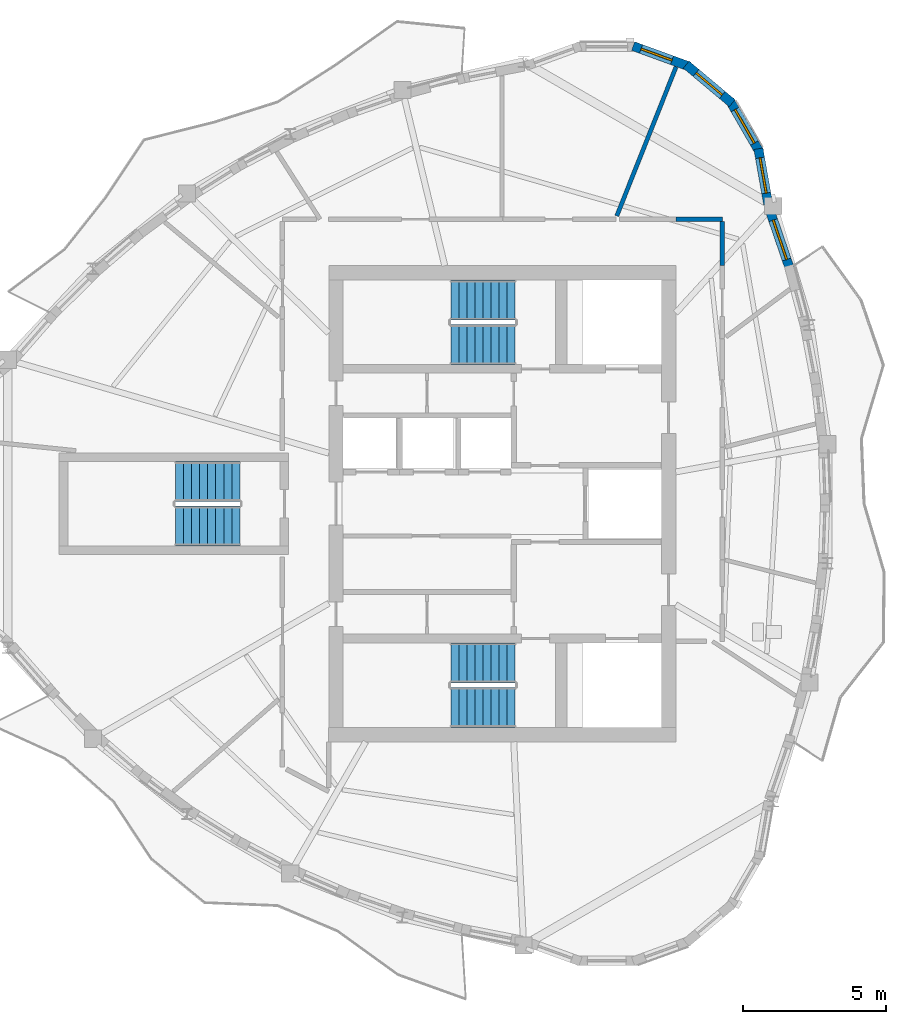
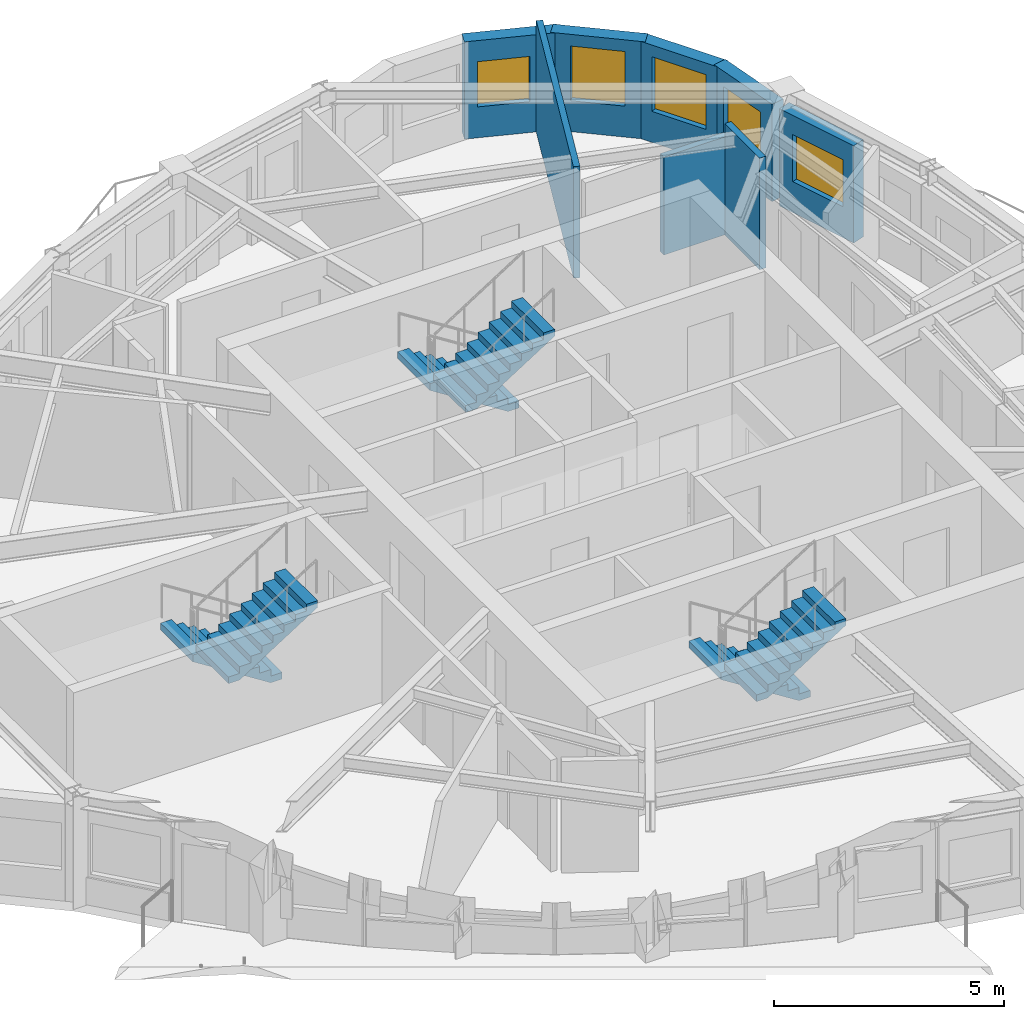
# One storey, part 7 of 11: 8 walls, 6 stair flights, 5 windows, 5 openings, 3 elements without a shape of their own.
"""IFC4 building model written with IfcOpenShell, lengths in metres."""

from ifc_helpers import new_model, si_unit, direction, frame, frame_2d, origin, place, context, subcontext, project, spatial, polyline, rectangle, outline, extrude, source, transform, mapped, material, layer, layer_set, type_object, element, fill, aggregate, save


model = new_model("IFC4")

# Units and contexts
model_context = context("Model", 3, precision=1e-05, world=origin(), true_north=direction((0.0, 1.0)))
body_context = subcontext(model_context, "Body", "Model", "MODEL_VIEW")
ifc_project = project(units=[si_unit("LENGTHUNIT", "METRE"), si_unit("AREAUNIT", "SQUARE_METRE"), si_unit("VOLUMEUNIT", "CUBIC_METRE"), si_unit("PLANEANGLEUNIT", "RADIAN"), si_unit("MASSUNIT", "GRAM", prefix="KILO")], contexts=[model_context])

# Site, building, storey
site_placement = place(None, origin())
site = spatial("IfcSite", under=ifc_project, at=site_placement, CompositionType="ELEMENT")
building_placement = place(site_placement, origin())
building = spatial("IfcBuilding", under=site, at=building_placement, Name="Qafzar Sky-Pleat Residences", CompositionType="ELEMENT")
storey_placement = place(building_placement, frame((0.0, 0.0, 237.199951171875)))
storey = spatial("IfcBuildingStorey", under=building, at=storey_placement, Name="L71", CompositionType="ELEMENT", Elevation=237.199951171875)

# Walls
ifc_material_1 = material(Name="Acoustic gypsum plasterboard partition", Category="gypsum")
ifc_layer_1 = layer(ifc_material_1, 0.159912109375)
ifc_layer_set_1 = layer_set([ifc_layer_1], Name="Acoustic gypsum plasterboard partition")
wall_type_1 = type_object("IfcWallType", Name="PART-COR-160", PredefinedType="PARTITIONING", material=ifc_layer_set_1)
wall_1_placement = place(storey_placement, frame((36.4150390625, 35.919921875, 0.0), z_axis=(0.0, 0.0, 1.0), x_axis=(1.0, 0.0, 0.0)))
element("IfcWall", 1, at=wall_1_placement, inside=storey, type_object=wall_type_1, Name="L71 Partition Wall PART-L71-PW-024", PredefinedType="PARTITIONING", context=body_context, shape_type="SweptSolid", body=[
    extrude(rectangle(XDim=1.60498046875, YDim=0.159912109375, at=frame_2d((0.802490234375, 0.0))), origin(), (0.0, 0.0, 1.0), 2.59814453125),
])
wall_2_placement = place(storey_placement, frame((38.02001953125, 34.31494140625, 0.0), z_axis=(0.0, 0.0, 1.0), x_axis=(0.0, 1.0, 0.0)))
element("IfcWall", 2, at=wall_2_placement, inside=storey, type_object=wall_type_1, Name="L71 Partition Wall PART-L71-PW-025", PredefinedType="PARTITIONING", context=body_context, shape_type="SweptSolid", body=[
    extrude(rectangle(XDim=1.51708984375, YDim=0.159912109375, at=frame_2d((0.758544921875, 0.0))), origin(), (0.0, 0.0, 1.0), 2.9599609375),
])
ifc_layer_2 = layer(ifc_material_1, 0.14501953125)
ifc_layer_set_2 = layer_set([ifc_layer_2], Name="Acoustic gypsum plasterboard partition")
wall_type_2 = type_object("IfcWallType", Name="PART-UNIT-145", PredefinedType="PARTITIONING", material=ifc_layer_set_2)
wall_3_placement = place(storey_placement, frame((34.342529296875, 36.0341796875, 0.0), z_axis=(0.0, 0.0, 1.0), x_axis=(0.369712016487, 0.92914639582, 0.0)))
element("IfcWall", 3, at=wall_3_placement, inside=storey, type_object=wall_type_2, Name="L71 Partition Wall PART-L71-PW-011", PredefinedType="PARTITIONING", context=body_context, shape_type="SweptSolid", body=[
    extrude(rectangle(XDim=5.59375, YDim=0.14501953125, at=frame_2d((2.796875, 0.0))), origin(), (0.0, 0.0, 1.0), 2.9599609375),
])

# Wall, opening, window
ifc_material_2 = material(Name="Precast concrete C40/50 with honed Riyadh limestone", Category="concrete")
ifc_layer_3 = layer(ifc_material_2, 0.320068359375)
ifc_layer_set_3 = layer_set([ifc_layer_3], Name="Precast concrete C40/50 with honed Riyadh limestone")
wall_type_3 = type_object("IfcWallType", Name="WALL-EXT-320", PredefinedType="SOLIDWALL", material=ifc_layer_set_3)
wall_4_placement = place(storey_placement, frame((40.3662109375, 34.21923828125, 0.0), z_axis=(0.0, 0.0, 1.0), x_axis=(-0.32370378462, 0.946158475004, 0.0)))
wall_4 = element("IfcWall", 4, at=wall_4_placement, inside=storey, type_object=wall_type_3, Name="L71 Limestone Facade Wall 32", PredefinedType="SOLIDWALL", context=body_context, shape_type="SweptSolid", body=[
    extrude(rectangle(XDim=2.142822265625, YDim=0.320068359375, at=frame_2d((1.0712890625, 0.0))), origin(), (0.0, 0.0, 1.0), 2.580078125),
])
opening_1_placement = place(wall_4_placement, frame((0.311279296875, 0.0, 0.820068359375)))
opening_1 = element("IfcOpeningElement", 5, at=opening_1_placement, cuts=wall_4, Name="Opening WN-15", PredefinedType="OPENING", context=body_context, shape_type="SweptSolid", body=[
    extrude(rectangle(XDim=1.449951171875, YDim=1.25, at=frame_2d((0.72509765625, 0.625))), frame((0.0, 0.169921875, 0.0), z_axis=(0.0, -1.0, 0.0), x_axis=(1.0, 0.0, 0.0)), (0.0, 0.0, 1.0), 0.340087890625),
])
ifc_material_3 = material(Name="Solar-control low-E glass in bronze aluminium frame", Category="glass")
window_type_1 = type_object("IfcWindowType", Name="WIN-15", PartitioningType="SINGLE_PANEL", PredefinedType="WINDOW", material=ifc_material_3)
shared_shape_1 = source(origin(), body_context, "Body", "SweptSolid", [
    extrude(rectangle(XDim=1.449951171875, YDim=1.25, at=frame_2d((0.72509765625, 0.625))), frame((0.0, 0.030029296875, 0.0), z_axis=(0.0, -1.0, 0.0), x_axis=(1.0, 0.0, 0.0)), (0.0, 0.0, 1.0), 0.06005859375),
])
window_1_placement = place(opening_1_placement, origin())
window_1 = element("IfcWindow", 6, at=window_1_placement, inside=storey, type_object=window_type_1, Name="L71 Punched Facade Window 32", OverallHeight=1.25, OverallWidth=1.449951171875, PartitioningType="SINGLE_PANEL", PredefinedType="WINDOW", context=body_context, shape_type="MappedRepresentation", body=[
    mapped(shared_shape_1, transform((0.0, 0.0, 0.0), x_axis=(1.0, 0.0, 0.0), y_axis=(0.0, 1.0, 0.0), z_axis=(0.0, 0.0, 1.0), scale=1.0)),
])
fill(opening_1, window_1)

wall_5_placement = place(storey_placement, frame((39.621826171875, 36.4443359375, 0.0), z_axis=(0.0, 0.0, 1.0), x_axis=(-0.173671780312, 0.984803590937, 0.0)))
wall_5 = element("IfcWall", 7, at=wall_5_placement, inside=storey, type_object=wall_type_3, Name="L71 Limestone Facade Wall 33", PredefinedType="SOLIDWALL", context=body_context, shape_type="SweptSolid", body=[
    extrude(rectangle(XDim=1.96240234375, YDim=0.320068359375, at=frame_2d((0.981201171875, 0.0))), origin(), (0.0, 0.0, 1.0), 2.580078125),
])
opening_2_placement = place(wall_5_placement, frame((0.39111328125, 0.0, 0.820068359375)))
opening_2 = element("IfcOpeningElement", 8, at=opening_2_placement, cuts=wall_5, Name="Opening WN-11", PredefinedType="OPENING", context=body_context, shape_type="SweptSolid", body=[
    extrude(rectangle(XDim=1.25, YDim=1.35009765625, at=frame_2d((0.625, 0.675048828125))), frame((0.0, 0.169921875, 0.0), z_axis=(0.0, -1.0, 0.0), x_axis=(1.0, 0.0, 0.0)), (0.0, 0.0, 1.0), 0.340087890625),
])
window_type_2 = type_object("IfcWindowType", Name="WIN-11", PartitioningType="SINGLE_PANEL", PredefinedType="WINDOW", material=ifc_material_3)
shared_shape_2 = source(origin(), body_context, "Body", "SweptSolid", [
    extrude(rectangle(XDim=1.25, YDim=1.35009765625, at=frame_2d((0.625, 0.675048828125))), frame((0.0, 0.030029296875, 0.0), z_axis=(0.0, -1.0, 0.0), x_axis=(1.0, 0.0, 0.0)), (0.0, 0.0, 1.0), 0.06005859375),
])
window_2_placement = place(opening_2_placement, origin())
window_2 = element("IfcWindow", 9, at=window_2_placement, inside=storey, type_object=window_type_2, Name="L71 Punched Facade Window 33", OverallHeight=1.35009765625, OverallWidth=1.25, PartitioningType="SINGLE_PANEL", PredefinedType="WINDOW", context=body_context, shape_type="MappedRepresentation", body=[
    mapped(shared_shape_2, transform((0.0, 0.0, 0.0), x_axis=(1.0, 0.0, 0.0), y_axis=(0.0, 1.0, 0.0), z_axis=(0.0, 0.0, 1.0), scale=1.0)),
])
fill(opening_2, window_2)

wall_6_placement = place(storey_placement, frame((39.32568359375, 38.25439453125, 0.0), z_axis=(0.0, 0.0, 1.0), x_axis=(-0.499995423472, 0.866028046028, 0.0)))
wall_6 = element("IfcWall", 10, at=wall_6_placement, inside=storey, type_object=wall_type_3, Name="L71 Limestone Facade Wall 34", PredefinedType="SOLIDWALL", context=body_context, shape_type="SweptSolid", body=[
    extrude(rectangle(XDim=2.09033203125, YDim=0.320068359375, at=frame_2d((1.045166015625, 0.0))), origin(), (0.0, 0.0, 1.0), 2.580078125),
])
opening_3_placement = place(wall_6_placement, frame((0.3701171875, 0.0, 0.820068359375)))
opening_3 = element("IfcOpeningElement", 11, at=opening_3_placement, cuts=wall_6, Name="Opening WN-04", PredefinedType="OPENING", context=body_context, shape_type="SweptSolid", body=[
    extrude(rectangle(XDim=1.35009765625, YDim=1.449951171875, at=frame_2d((0.675048828125, 0.72509765625))), frame((0.0, 0.169921875, 0.0), z_axis=(0.0, -1.0, 0.0), x_axis=(1.0, 0.0, 0.0)), (0.0, 0.0, 1.0), 0.340087890625),
])
window_type_3 = type_object("IfcWindowType", Name="WIN-04", PartitioningType="SINGLE_PANEL", PredefinedType="WINDOW", material=ifc_material_3)
shared_shape_3 = source(origin(), body_context, "Body", "SweptSolid", [
    extrude(rectangle(XDim=1.35009765625, YDim=1.449951171875, at=frame_2d((0.675048828125, 0.72509765625))), frame((0.0, 0.030029296875, 0.0), z_axis=(0.0, -1.0, 0.0), x_axis=(1.0, 0.0, 0.0)), (0.0, 0.0, 1.0), 0.06005859375),
])
window_3_placement = place(opening_3_placement, origin())
window_3 = element("IfcWindow", 12, at=window_3_placement, inside=storey, type_object=window_type_3, Name="L71 Punched Facade Window 34", OverallHeight=1.449951171875, OverallWidth=1.35009765625, PartitioningType="SINGLE_PANEL", PredefinedType="WINDOW", context=body_context, shape_type="MappedRepresentation", body=[
    mapped(shared_shape_3, transform((0.0, 0.0, 0.0), x_axis=(1.0, 0.0, 0.0), y_axis=(0.0, 1.0, 0.0), z_axis=(0.0, 0.0, 1.0), scale=1.0)),
])
fill(opening_3, window_3)

wall_7_placement = place(storey_placement, frame((38.364501953125, 39.96484375, 0.0), z_axis=(0.0, 0.0, 1.0), x_axis=(-0.766072824549, 0.642753784499, 0.0)))
wall_7 = element("IfcWall", 13, at=wall_7_placement, inside=storey, type_object=wall_type_3, Name="L71 Limestone Facade Wall 35", PredefinedType="SOLIDWALL", context=body_context, shape_type="SweptSolid", body=[
    extrude(rectangle(XDim=2.090576171875, YDim=0.320068359375, at=frame_2d((1.04541015625, 0.0))), origin(), (0.0, 0.0, 1.0), 2.580078125),
])
opening_4_placement = place(wall_7_placement, frame((0.4453125, 0.0, 0.820068359375)))
opening_4 = element("IfcOpeningElement", 14, at=opening_4_placement, cuts=wall_7, Name="Opening WN-05", PredefinedType="OPENING", context=body_context, shape_type="SweptSolid", body=[
    extrude(rectangle(XDim=1.199951171875, YDim=1.449951171875, at=frame_2d((0.60009765625, 0.72509765625))), frame((0.0, 0.169921875, 0.0), z_axis=(0.0, -1.0, 0.0), x_axis=(1.0, 0.0, 0.0)), (0.0, 0.0, 1.0), 0.340087890625),
])
window_type_4 = type_object("IfcWindowType", Name="WIN-05", PartitioningType="SINGLE_PANEL", PredefinedType="WINDOW", material=ifc_material_3)
shared_shape_4 = source(origin(), body_context, "Body", "SweptSolid", [
    extrude(rectangle(XDim=1.199951171875, YDim=1.449951171875, at=frame_2d((0.60009765625, 0.72509765625))), frame((0.0, 0.030029296875, 0.0), z_axis=(0.0, -1.0, 0.0), x_axis=(1.0, 0.0, 0.0)), (0.0, 0.0, 1.0), 0.06005859375),
])
window_4_placement = place(opening_4_placement, origin())
window_4 = element("IfcWindow", 15, at=window_4_placement, inside=storey, type_object=window_type_4, Name="L71 Punched Facade Window 35", OverallHeight=1.449951171875, OverallWidth=1.199951171875, PartitioningType="SINGLE_PANEL", PredefinedType="WINDOW", context=body_context, shape_type="MappedRepresentation", body=[
    mapped(shared_shape_4, transform((0.0, 0.0, 0.0), x_axis=(1.0, 0.0, 0.0), y_axis=(0.0, 1.0, 0.0), z_axis=(0.0, 0.0, 1.0), scale=1.0)),
])
fill(opening_4, window_4)

wall_8_placement = place(storey_placement, frame((36.8759765625, 41.243408203125, 0.0), z_axis=(0.0, 0.0, 1.0), x_axis=(-0.93973543134, 0.341902499383, 0.0)))
wall_8 = element("IfcWall", 16, at=wall_8_placement, inside=storey, type_object=wall_type_3, Name="L71 Limestone Facade Wall 36", PredefinedType="SOLIDWALL", context=body_context, shape_type="SweptSolid", body=[
    extrude(rectangle(XDim=2.090087890625, YDim=0.320068359375, at=frame_2d((1.044921875, 0.0))), origin(), (0.0, 0.0, 1.0), 2.580078125),
])
opening_5_placement = place(wall_8_placement, frame((0.646484375, 0.0, 0.820068359375)))
opening_5 = element("IfcOpeningElement", 17, at=opening_5_placement, cuts=wall_8, Name="Opening WN-16", PredefinedType="OPENING", context=body_context, shape_type="SweptSolid", body=[
    extrude(rectangle(XDim=1.14990234375, YDim=1.199951171875, at=frame_2d((0.574951171875, 0.60009765625))), frame((0.0, 0.169921875, 0.0), z_axis=(0.0, -1.0, 0.0), x_axis=(1.0, 0.0, 0.0)), (0.0, 0.0, 1.0), 0.340087890625),
])
window_type_5 = type_object("IfcWindowType", Name="WIN-16", PartitioningType="SINGLE_PANEL", PredefinedType="WINDOW", material=ifc_material_3)
shared_shape_5 = source(origin(), body_context, "Body", "SweptSolid", [
    extrude(rectangle(XDim=1.14990234375, YDim=1.199951171875, at=frame_2d((0.574951171875, 0.60009765625))), frame((0.0, 0.030029296875, 0.0), z_axis=(0.0, -1.0, 0.0), x_axis=(1.0, 0.0, 0.0)), (0.0, 0.0, 1.0), 0.06005859375),
])
window_5_placement = place(opening_5_placement, origin())
window_5 = element("IfcWindow", 18, at=window_5_placement, inside=storey, type_object=window_type_5, Name="L71 Punched Facade Window 36-2", OverallHeight=1.199951171875, OverallWidth=1.14990234375, PartitioningType="SINGLE_PANEL", PredefinedType="WINDOW", context=body_context, shape_type="MappedRepresentation", body=[
    mapped(shared_shape_5, transform((0.0, 0.0, 0.0), x_axis=(1.0, 0.0, 0.0), y_axis=(0.0, 1.0, 0.0), z_axis=(0.0, 0.0, 1.0), scale=1.0)),
])
fill(opening_5, window_5)

# Stair, stair flights
ifc_material_4 = material(Name="Concrete C40/50", Category="concrete")
stair_type = type_object("IfcStairType", Name="STAIR-H320", PredefinedType="HALF_TURN_STAIR", material=ifc_material_4)
stair_1_placement = place(storey_placement, origin())
stair_1 = element("IfcStair", 19, at=stair_1_placement, inside=storey, type_object=stair_type, Name="L71 Protected Exit Stair ST1", PredefinedType="HALF_TURN_STAIR")
stair_flight_type = type_object("IfcStairFlightType", Name="FLIGHT-H320", PredefinedType="STRAIGHT", material=ifc_material_4)
shared_shape_6 = source(origin(), body_context, "Body", "SweptSolid", [
    extrude(outline(polyline([(0.0, 0.0), (0.0, 0.177734375), (0.280029296875, 0.177734375), (0.280029296875, 0.35546875), (0.56005859375, 0.35546875), (0.56005859375, 0.533447265625), (0.840087890625, 0.533447265625), (0.840087890625, 0.711181640625), (1.1201171875, 0.711181640625), (1.1201171875, 0.888916015625), (1.39990234375, 0.888916015625), (1.39990234375, 1.066650390625), (1.679931640625, 1.066650390625), (1.679931640625, 1.244384765625), (1.9599609375, 1.244384765625), (1.9599609375, 1.422119140625), (2.239990234375, 1.422119140625), (2.239990234375, 1.60009765625), (2.239990234375, 1.24462890625), (0.27978515625, 0.0), (0.0, 0.0)])), frame((0.0, 0.699951171875, 0.0), z_axis=(0.0, -1.0, 0.0), x_axis=(1.0, 0.0, 0.0)), (0.0, 0.0, 1.0), 1.39990234375),
])
stair_flight_1_placement = place(storey_placement, frame((30.800048828125, 20.449951171875, 0.0), z_axis=(0.0, 0.0, 1.0), x_axis=(-1.0, 0.0, 0.0)))
stair_flight_1 = element("IfcStairFlight", 20, at=stair_flight_1_placement, type_object=stair_flight_type, Name="ST1 flight 1", NumberOfRisers=9, NumberOfTreads=8, PredefinedType="STRAIGHT", RiserHeight=0.177777778, TreadLength=0.28, context=body_context, shape_type="MappedRepresentation", body=[
    mapped(shared_shape_6, transform((0.0, 0.0, 0.0), x_axis=(1.0, 0.0, 0.0), y_axis=(0.0, 1.0, 0.0), z_axis=(0.0, 0.0, 1.0), scale=1.0)),
])
stair_flight_2_placement = place(storey_placement, frame((28.56005859375, 18.89990234375, 1.60009765625), z_axis=(0.0, 0.0, 1.0), x_axis=(1.0, 0.0, 0.0)))
stair_flight_2 = element("IfcStairFlight", 21, at=stair_flight_2_placement, type_object=stair_flight_type, Name="ST1 flight 2", NumberOfRisers=9, NumberOfTreads=8, PredefinedType="STRAIGHT", RiserHeight=0.177777778, TreadLength=0.28, context=body_context, shape_type="MappedRepresentation", body=[
    mapped(shared_shape_6, transform((0.0, 0.0, 0.0), x_axis=(1.0, 0.0, 0.0), y_axis=(0.0, 1.0, 0.0), z_axis=(0.0, 0.0, 1.0), scale=1.0)),
])
aggregate(stair_1, [stair_flight_1, stair_flight_2])

stair_2_placement = place(storey_placement, origin())
stair_2 = element("IfcStair", 22, at=stair_2_placement, inside=storey, type_object=stair_type, Name="L71 Protected Exit Stair ST2", PredefinedType="HALF_TURN_STAIR")
stair_flight_3_placement = place(storey_placement, frame((30.800048828125, 33.10009765625, 0.0), z_axis=(0.0, 0.0, 1.0), x_axis=(-1.0, 0.0, 0.0)))
stair_flight_3 = element("IfcStairFlight", 23, at=stair_flight_3_placement, type_object=stair_flight_type, Name="ST2 flight 1", NumberOfRisers=9, NumberOfTreads=8, PredefinedType="STRAIGHT", RiserHeight=0.177777778, TreadLength=0.28, context=body_context, shape_type="MappedRepresentation", body=[
    mapped(shared_shape_6, transform((0.0, 0.0, 0.0), x_axis=(1.0, 0.0, 0.0), y_axis=(0.0, 1.0, 0.0), z_axis=(0.0, 0.0, 1.0), scale=1.0)),
])
stair_flight_4_placement = place(storey_placement, frame((28.56005859375, 31.550048828125, 1.60009765625), z_axis=(0.0, 0.0, 1.0), x_axis=(1.0, 0.0, 0.0)))
stair_flight_4 = element("IfcStairFlight", 24, at=stair_flight_4_placement, type_object=stair_flight_type, Name="ST2 flight 2", NumberOfRisers=9, NumberOfTreads=8, PredefinedType="STRAIGHT", RiserHeight=0.177777778, TreadLength=0.28, context=body_context, shape_type="MappedRepresentation", body=[
    mapped(shared_shape_6, transform((0.0, 0.0, 0.0), x_axis=(1.0, 0.0, 0.0), y_axis=(0.0, 1.0, 0.0), z_axis=(0.0, 0.0, 1.0), scale=1.0)),
])
aggregate(stair_2, [stair_flight_3, stair_flight_4])

stair_3_placement = place(storey_placement, origin())
stair_3 = element("IfcStair", 25, at=stair_3_placement, inside=storey, type_object=stair_type, Name="L71 Protected Exit Stair ST3", PredefinedType="HALF_TURN_STAIR")
stair_flight_5_placement = place(storey_placement, frame((21.199951171875, 26.77490234375, 0.0), z_axis=(0.0, 0.0, 1.0), x_axis=(-1.0, 0.0, 0.0)))
stair_flight_5 = element("IfcStairFlight", 26, at=stair_flight_5_placement, type_object=stair_flight_type, Name="ST3 flight 1", NumberOfRisers=9, NumberOfTreads=8, PredefinedType="STRAIGHT", RiserHeight=0.177777778, TreadLength=0.28, context=body_context, shape_type="MappedRepresentation", body=[
    mapped(shared_shape_6, transform((0.0, 0.0, 0.0), x_axis=(1.0, 0.0, 0.0), y_axis=(0.0, 1.0, 0.0), z_axis=(0.0, 0.0, 1.0), scale=1.0)),
])
stair_flight_6_placement = place(storey_placement, frame((18.9599609375, 25.22509765625, 1.60009765625), z_axis=(0.0, 0.0, 1.0), x_axis=(1.0, 0.0, 0.0)))
stair_flight_6 = element("IfcStairFlight", 27, at=stair_flight_6_placement, type_object=stair_flight_type, Name="ST3 flight 2", NumberOfRisers=9, NumberOfTreads=8, PredefinedType="STRAIGHT", RiserHeight=0.177777778, TreadLength=0.28, context=body_context, shape_type="MappedRepresentation", body=[
    mapped(shared_shape_6, transform((0.0, 0.0, 0.0), x_axis=(1.0, 0.0, 0.0), y_axis=(0.0, 1.0, 0.0), z_axis=(0.0, 0.0, 1.0), scale=1.0)),
])
aggregate(stair_3, [stair_flight_5, stair_flight_6])

save(model, "model.ifc")
